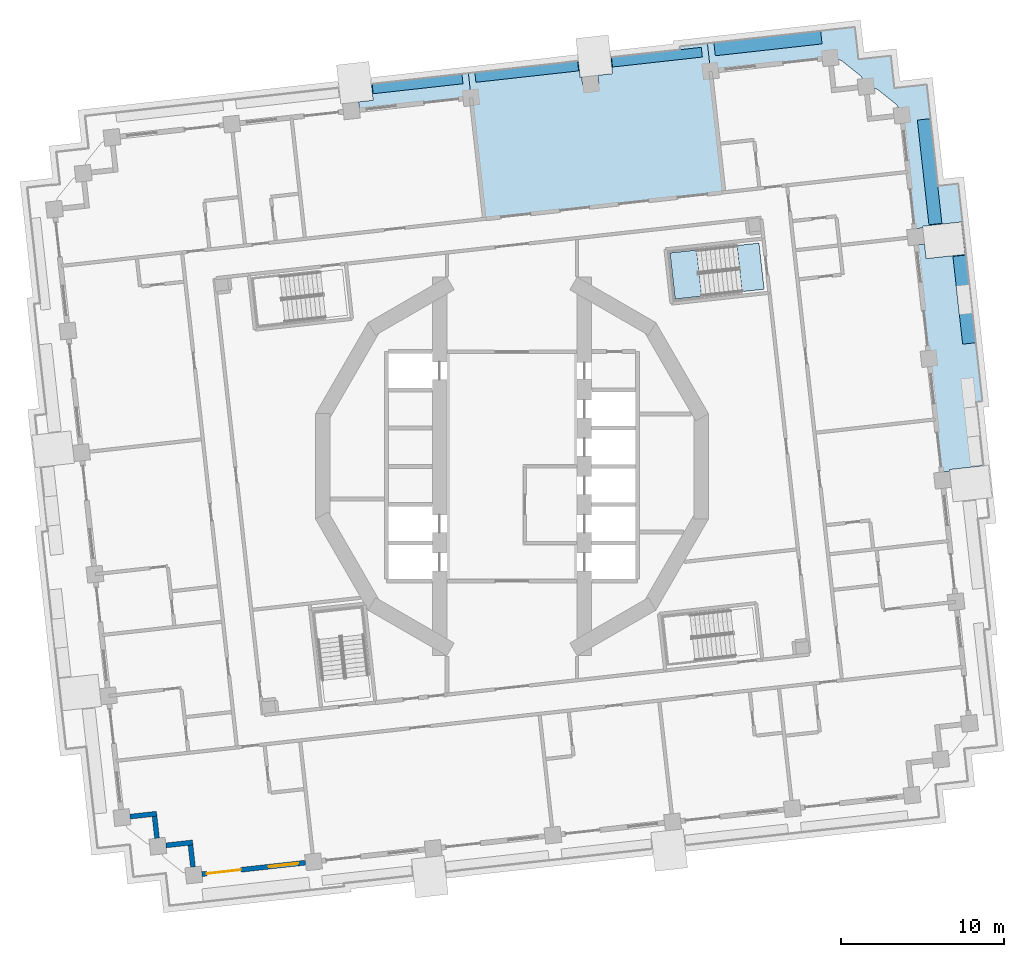
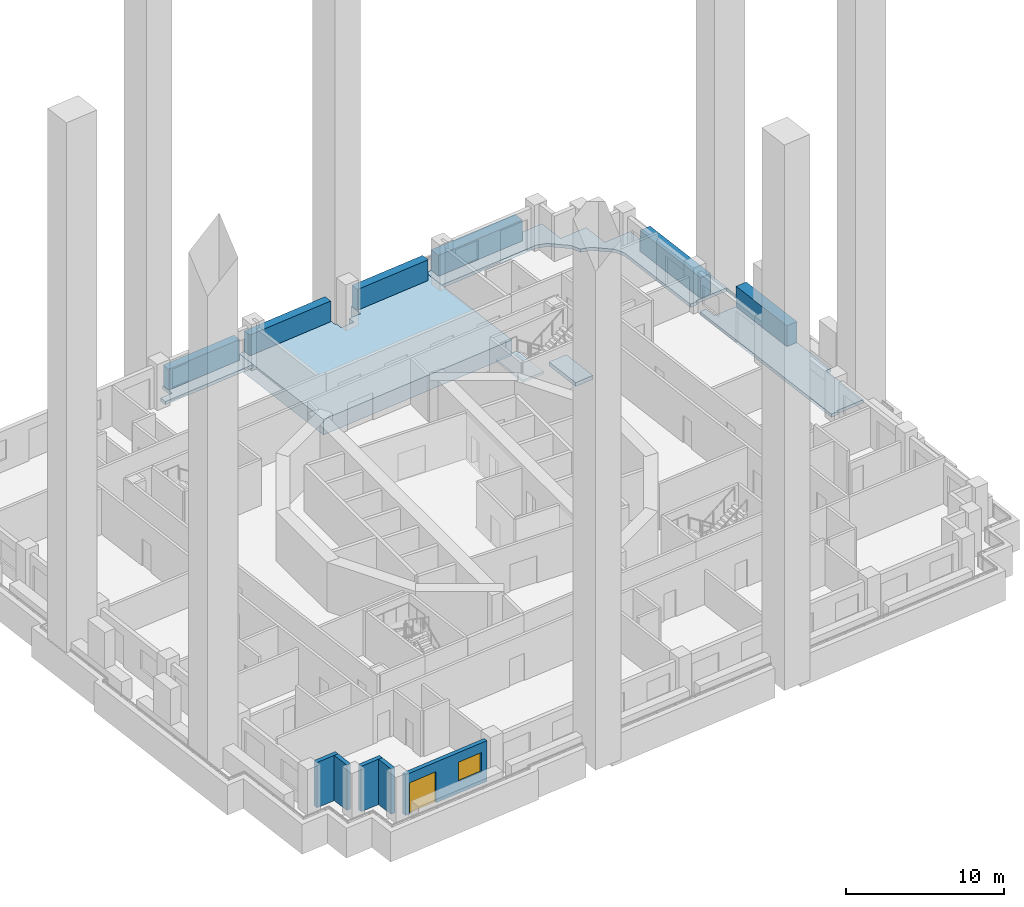
# One storey, part 2 of 20: 6 plates, 5 slabs, 5 walls, 1 door, 1 window, 2 openings, 1 element without a shape of its own.
"""IFC4 building model written with IfcOpenShell, lengths in metres."""

from ifc_helpers import new_model, si_unit, direction, frame, frame_2d, origin, origin_2d, place, context, subcontext, project, spatial, polyline, rectangle, outline, extrude, material, layer, layer_set, type_object, element, fill, aggregate, save


model = new_model("IFC4")

# Units and contexts
model_context = context("Model", 3, precision=1e-05, world=origin(), true_north=direction((0.0, 1.0)))
body_context = subcontext(model_context, "Body", "Model", "MODEL_VIEW")
ifc_project = project(units=[si_unit("LENGTHUNIT", "METRE"), si_unit("AREAUNIT", "SQUARE_METRE"), si_unit("VOLUMEUNIT", "CUBIC_METRE"), si_unit("PLANEANGLEUNIT", "RADIAN"), si_unit("MASSUNIT", "GRAM", prefix="KILO")], contexts=[model_context])

# Site, building, storey
site_placement = place(None, origin())
site = spatial("IfcSite", under=ifc_project, at=site_placement, CompositionType="ELEMENT")
building_placement = place(site_placement, origin())
building = spatial("IfcBuilding", under=site, at=building_placement, Name="Cantera Rosa Tower", CompositionType="ELEMENT")
storey_placement = place(building_placement, frame((0.0, 0.0, 42.5)))
storey = spatial("IfcBuildingStorey", under=building, at=storey_placement, Name="L07", CompositionType="ELEMENT", Elevation=42.5)

# Slabs
ifc_material_1 = material(Name="Concrete C35/45", Category="concrete")
ifc_layer_1 = layer(ifc_material_1, 0.25)
ifc_layer_set_1 = layer_set([ifc_layer_1], Name="LOGGIA SLAB 250 C35/45")
slab_type_1 = type_object("IfcSlabType", Name="LOGGIA SLAB 250 C35/45", PredefinedType="FLOOR", material=ifc_layer_set_1)
slab_1_placement = place(storey_placement, frame((0.0, 0.0, -0.25)))
element("IfcSlab", 1, at=slab_1_placement, inside=storey, type_object=slab_type_1, Name="LOGGIA SLAB L07 3", PredefinedType="FLOOR", context=body_context, shape_type="SweptSolid", body=[
    extrude(outline(polyline([(-9.42822265625, 22.396484375), (-8.53369140625, 22.495849609375), (-8.64404296875, 23.48974609375), (-8.544677734375, 23.5009765625), (-4.17138671875, 23.986083984375), (-2.6806640625, 24.151611328125), (-2.51513671875, 22.660888671875), (-9.373046875, 21.899658203125), (-9.42822265625, 22.396484375)])), origin(), (0.0, 0.0, 1.0), 0.25),
])
slab_2_placement = place(storey_placement, frame((0.0, 0.0, -0.25)))
element("IfcSlab", 2, at=slab_2_placement, inside=storey, type_object=slab_type_1, Name="LOGGIA SLAB L07 6", PredefinedType="FLOOR", context=body_context, shape_type="SweptSolid", body=[
    extrude(outline(polyline([(21.5703125, 25.0322265625), (23.260009765625, 25.2197265625), (23.447509765625, 23.5302734375), (23.48046875, 23.23193359375), (23.77880859375, 23.26513671875), (25.46826171875, 23.45263671875), (25.65576171875, 21.762939453125), (26.159912109375, 17.22021484375), (27.40185546875, 17.358154296875), (28.882080078125, 4.021240234375), (28.5224609375, 3.981201171875), (28.96044921875, 0.034912109375), (26.885498046875, -0.1953125), (26.896728515625, -0.294921875), (26.399658203125, -0.349853515625), (24.850830078125, 13.6044921875), (25.347900390625, 13.65966796875), (25.447265625, 12.764892578125), (27.83251953125, 13.02978515625), (27.61181640625, 15.017578125), (25.2265625, 14.752685546875), (25.237548828125, 14.653564453125), (24.740478515625, 14.598388671875), (23.96630859375, 21.575439453125), (23.677001953125, 22.161865234375), (23.66162109375, 22.18701171875), (23.643798828125, 22.21044921875), (23.62353515625, 22.23193359375), (23.6015625, 22.25146484375), (22.497314453125, 23.135009765625), (22.473388671875, 23.15234375), (22.447998046875, 23.1669921875), (22.42138671875, 23.179443359375), (22.393310546875, 23.18896484375), (21.7578125, 23.342529296875), (21.468505859375, 23.92919921875), (21.453125, 23.9541015625), (21.435302734375, 23.9775390625), (21.415283203125, 23.999267578125), (21.39306640625, 24.018798828125), (20.288818359375, 24.902099609375), (20.26513671875, 24.91943359375), (20.239501953125, 24.934326171875), (20.212890625, 24.946533203125), (20.18505859375, 24.9560546875), (19.54931640625, 25.10986328125), (18.642578125, 25.00927734375), (12.194580078125, 24.29345703125), (12.007080078125, 25.983154296875), (19.36181640625, 26.79931640625), (21.051513671875, 26.98681640625), (21.239013671875, 25.29736328125), (21.272216796875, 24.999267578125), (21.5703125, 25.0322265625)])), origin(), (0.0, 0.0, 1.0), 0.25),
])

# Plates
ifc_material_2 = material(Name="Cantera stone planter with soil", Category="masonry")
plate_type_1 = type_object("IfcPlateType", Name="PLANTER 600", PredefinedType="USERDEFINED", material=ifc_material_2)
plate_1_placement = place(storey_placement, frame((8.905517578125, 25.145751953125, 0.0), z_axis=(0.0, 0.0, 1.0), x_axis=(-0.993896946415, -0.110312555526, 0.0)))
element("IfcPlate", 3, at=plate_1_placement, inside=storey, type_object=plate_type_1, Name="PLANTER L07-07", ObjectType="PLANTER", PredefinedType="USERDEFINED", context=body_context, shape_type="SweptSolid", body=[
    extrude(rectangle(XDim=5.550048828125, YDim=0.60009765625, at=origin_2d()), origin(), (0.0, 0.0, 1.0), 1.60009765625),
])
plate_2_placement = place(storey_placement, frame((0.90576171875, 24.247802734375, 0.0), z_axis=(0.0, 0.0, 1.0), x_axis=(-0.993896946415, -0.110312555526, 0.0)))
element("IfcPlate", 4, at=plate_2_placement, inside=storey, type_object=plate_type_1, Name="PLANTER L07-08", ObjectType="PLANTER", PredefinedType="USERDEFINED", context=body_context, shape_type="SweptSolid", body=[
    extrude(rectangle(XDim=6.35009765625, YDim=0.60009765625, at=origin_2d()), origin(), (0.0, 0.0, 1.0), 1.60009765625),
])
plate_3_placement = place(storey_placement, frame((-5.80322265625, 23.503173828125, 0.0), z_axis=(0.0, 0.0, 1.0), x_axis=(-0.993896946415, -0.110312555526, 0.0)))
element("IfcPlate", 5, at=plate_3_placement, inside=storey, type_object=plate_type_1, Name="PLANTER L07-09", ObjectType="PLANTER", PredefinedType="USERDEFINED", context=body_context, shape_type="SweptSolid", body=[
    extrude(rectangle(XDim=5.550048828125, YDim=0.60009765625, at=origin_2d()), origin(), (0.0, 0.0, 1.0), 1.60009765625),
])
ifc_material_3 = material(Name="Cantera stone planter with soil", Category="masonry")
plate_type_2 = type_object("IfcPlateType", Name="PLANTER 800", PredefinedType="USERDEFINED", material=ifc_material_3)
plate_4_placement = place(storey_placement, frame((27.78857421875, 10.248046875, 0.0), z_axis=(0.0, 0.0, 1.0), x_axis=(-0.110312555526, 0.993896946415, 0.0)))
element("IfcPlate", 6, at=plate_4_placement, inside=storey, type_object=plate_type_2, Name="PLANTER L07-04", ObjectType="PLANTER", PredefinedType="USERDEFINED", context=body_context, shape_type="SweptSolid", body=[
    extrude(rectangle(XDim=5.419921875, YDim=0.800048828125, at=origin_2d()), origin(), (0.0, 0.0, 1.0), 1.60009765625),
])
plate_5_placement = place(storey_placement, frame((25.6591796875, 18.10595703125, 0.0), z_axis=(0.0, 0.0, 1.0), x_axis=(-0.110312555526, 0.993896946415, 0.0)))
element("IfcPlate", 7, at=plate_5_placement, inside=storey, type_object=plate_type_2, Name="PLANTER L07-05", ObjectType="PLANTER", PredefinedType="USERDEFINED", context=body_context, shape_type="SweptSolid", body=[
    extrude(rectangle(XDim=6.469970703125, YDim=0.800048828125, at=origin_2d()), origin(), (0.0, 0.0, 1.0), 1.60009765625),
])
plate_6_placement = place(storey_placement, frame((15.728515625, 25.99365234375, 0.0), z_axis=(0.0, 0.0, 1.0), x_axis=(-0.993896946415, -0.110312555526, 0.0)))
element("IfcPlate", 8, at=plate_6_placement, inside=storey, type_object=plate_type_2, Name="PLANTER L07-06", ObjectType="PLANTER", PredefinedType="USERDEFINED", context=body_context, shape_type="SweptSolid", body=[
    extrude(rectangle(XDim=6.60009765625, YDim=0.800048828125, at=origin_2d()), origin(), (0.0, 0.0, 1.0), 1.60009765625),
])

# Slabs
ifc_material_4 = material(Name="Concrete C50/60", Category="concrete")
ifc_layer_2 = layer(ifc_material_4, 0.300048828125)
ifc_layer_set_2 = layer_set([ifc_layer_2], Name="RC STAIR ARRIVAL LANDING 300 C50/60")
slab_type_2 = type_object("IfcSlabType", Name="RC STAIR ARRIVAL LANDING 300 C50/60", PredefinedType="FLOOR", material=ifc_layer_set_2)
slab_3_placement = place(storey_placement, frame((0.0, 0.0, -0.300048828125)))
element("IfcSlab", 9, at=slab_3_placement, inside=storey, type_object=slab_type_2, Name="SLAB L07 arrival 4", PredefinedType="FLOOR", context=body_context, shape_type="SweptSolid", body=[
    extrude(outline(polyline([(15.176025390625, 13.7197265625), (15.490478515625, 10.88720703125), (14.13671875, 10.73681640625), (13.822265625, 13.5693359375), (15.176025390625, 13.7197265625)])), origin(), (0.0, 0.0, 1.0), 0.300048828125),
])
ifc_material_5 = material(Name="Concrete C50/60", Category="concrete")
ifc_layer_3 = layer(ifc_material_5, 1.199951171875)
ifc_layer_set_3 = layer_set([ifc_layer_3], Name="RC TRANSFER PLATE TERRACE 1200 C50/60")
slab_type_3 = type_object("IfcSlabType", Name="RC TRANSFER PLATE TERRACE 1200 C50/60", PredefinedType="FLOOR", material=ifc_layer_set_3)
slab_4_placement = place(storey_placement, frame((0.0, 0.0, -1.199951171875)))
element("IfcSlab", 10, at=slab_4_placement, inside=storey, type_object=slab_type_3, Name="RC TRANSFER PLATE TERRACE L07 1", PredefinedType="FLOOR", context=body_context, shape_type="SweptSolid", body=[
    extrude(outline(polyline([(-2.6806640625, 24.151611328125), (-1.189697265625, 24.317138671875), (3.173583984375, 24.801513671875), (3.172607421875, 24.811279296875), (4.076904296875, 24.91162109375), (4.188232421875, 23.907958984375), (4.28759765625, 23.9189453125), (4.3427734375, 23.422119140625), (5.336669921875, 23.5322265625), (5.281494140625, 24.029296875), (6.176025390625, 24.12841796875), (6.064697265625, 25.132080078125), (10.33837890625, 25.606689453125), (10.3173828125, 25.795654296875), (12.007080078125, 25.983154296875), (12.194580078125, 24.29345703125), (13.02197265625, 16.839111328125), (-1.687744140625, 15.20654296875), (-2.51513671875, 22.660888671875), (-2.6806640625, 24.151611328125)])), origin(), (0.0, 0.0, 1.0), 1.199951171875),
])

# Stair, slab
ifc_material_6 = material(Name="Concrete C35/45", Category="concrete")
stair_type = type_object("IfcStairType", Name="EXIT STAIR 1350 DOGLEG", PredefinedType="HALF_TURN_STAIR", material=ifc_material_6)
stair_placement = place(storey_placement, origin())
stair = element("IfcStair", 11, at=stair_placement, inside=storey, type_object=stair_type, Name="L07 ST-11", PredefinedType="HALF_TURN_STAIR")
ifc_material_7 = material(Name="Concrete C35/45", Category="concrete")
ifc_layer_4 = layer(ifc_material_7, 0.199951171875)
ifc_layer_set_4 = layer_set([ifc_layer_4], Name="STAIR LANDING 200")
slab_type_4 = type_object("IfcSlabType", Name="STAIR LANDING 200", PredefinedType="LANDING", material=ifc_layer_set_4)
slab_5_placement = place(storey_placement, frame((0.0, 0.0, 1.699951171875)))
slab_5 = element("IfcSlab", 12, at=slab_5_placement, type_object=slab_type_4, Name="ST-11 landing 1", PredefinedType="LANDING", context=body_context, shape_type="SweptSolid", body=[
    extrude(outline(polyline([(11.341552734375, 13.294189453125), (9.70947265625, 13.113037109375), (10.02392578125, 10.2802734375), (11.656005859375, 10.46142578125), (11.341552734375, 13.294189453125)])), origin(), (0.0, 0.0, 1.0), 0.199951171875),
])
aggregate(stair, [slab_5])

# Walls
ifc_material_8 = material(Name="Hollow clay masonry with cantera stone cladding", Category="masonry")
ifc_layer_5 = layer(ifc_material_8, 0.300048828125)
ifc_layer_set_5 = layer_set([ifc_layer_5], Name="EW-LOGGIA 300")
wall_type_1 = type_object("IfcWallType", Name="EW-LOGGIA 300", PredefinedType="SOLIDWALL", material=ifc_layer_set_5)
wall_1_placement = place(storey_placement, frame((-23.46923828125, -21.520263671875, 0.0), z_axis=(0.0, 0.0, 1.0), x_axis=(0.993905369514, 0.110236638423, 0.0)))
element("IfcWall", 13, at=wall_1_placement, inside=storey, type_object=wall_type_1, Name="EN-L07-W21a", PredefinedType="SOLIDWALL", context=body_context, shape_type="SweptSolid", body=[
    extrude(rectangle(XDim=1.64990234375, YDim=0.300048828125, at=frame_2d((0.824951171875, 0.0))), origin(), (0.0, 0.0, 1.0), 3.5),
])
wall_2_placement = place(storey_placement, frame((-21.9619140625, -21.50390625, 0.0), z_axis=(0.0, 0.0, 1.0), x_axis=(0.110312435488, -0.993896959738, 0.0)))
element("IfcWall", 14, at=wall_2_placement, inside=storey, type_object=wall_type_1, Name="EN-L07-W21b", PredefinedType="SOLIDWALL", context=body_context, shape_type="SweptSolid", body=[
    extrude(rectangle(XDim=1.35009765625, YDim=0.300048828125, at=frame_2d((0.675048828125, 0.0))), origin(), (0.0, 0.0, 1.0), 3.5),
])
wall_3_placement = place(storey_placement, frame((-21.2607421875, -23.287353515625, 0.0), z_axis=(0.0, 0.0, 1.0), x_axis=(0.993905369514, 0.110236638423, 0.0)))
element("IfcWall", 15, at=wall_3_placement, inside=storey, type_object=wall_type_1, Name="EN-L07-W22a", PredefinedType="SOLIDWALL", context=body_context, shape_type="SweptSolid", body=[
    extrude(rectangle(XDim=1.64990234375, YDim=0.300048828125, at=frame_2d((0.824951171875, 0.0))), origin(), (0.0, 0.0, 1.0), 3.5),
])
wall_4_placement = place(storey_placement, frame((-19.75341796875, -23.27099609375, 0.0), z_axis=(0.0, 0.0, 1.0), x_axis=(0.110312435488, -0.993896959738, 0.0)))
element("IfcWall", 16, at=wall_4_placement, inside=storey, type_object=wall_type_1, Name="EN-L07-W22b", PredefinedType="SOLIDWALL", context=body_context, shape_type="SweptSolid", body=[
    extrude(rectangle(XDim=1.35009765625, YDim=0.300048828125, at=frame_2d((0.675048828125, 0.0))), origin(), (0.0, 0.0, 1.0), 3.5),
])

# Wall, openings, window, door
ifc_material_9 = material(Name="Hollow clay masonry with cantera stone cladding", Category="masonry")
ifc_layer_6 = layer(ifc_material_9, 0.300048828125)
ifc_layer_set_6 = layer_set([ifc_layer_6], Name="EW-LOGGIA 300 H3140")
wall_type_2 = type_object("IfcWallType", Name="EW-LOGGIA 300 H3140", PredefinedType="SOLIDWALL", material=ifc_layer_set_6)
wall_5_placement = place(storey_placement, frame((-19.052490234375, -25.0546875, 0.0), z_axis=(0.0, 0.0, 1.0), x_axis=(0.993896288542, 0.110318482689, 0.0)))
wall_5 = element("IfcWall", 17, at=wall_5_placement, inside=storey, type_object=wall_type_2, Name="EN-L07-W23", PredefinedType="SOLIDWALL", context=body_context, shape_type="SweptSolid", body=[
    extrude(rectangle(XDim=6.400146484375, YDim=0.300048828125, at=frame_2d((3.2001953125, 0.0))), origin(), (0.0, 0.0, 1.0), 3.139892578125),
])
opening_1_placement = place(wall_5_placement, frame((0.300048828125, 0.0, 0.0)))
opening_1 = element("IfcOpeningElement", 18, at=opening_1_placement, cuts=wall_5, Name="Opening L07-TD29", PredefinedType="OPENING", context=body_context, shape_type="SweptSolid", body=[
    extrude(rectangle(XDim=2.10009765625, YDim=2.39990234375, at=frame_2d((1.050048828125, 1.199951171875))), frame((0.0, 0.159912109375, 0.0), z_axis=(0.0, -1.0, 0.0), x_axis=(1.0, 0.0, 0.0)), (0.0, 0.0, 1.0), 0.320068359375),
])
opening_2_placement = place(wall_5_placement, frame((4.14990234375, 0.0, 0.89990234375)))
opening_2 = element("IfcOpeningElement", 19, at=opening_2_placement, cuts=wall_5, Name="Opening L07-W30", PredefinedType="OPENING", context=body_context, shape_type="SweptSolid", body=[
    extrude(rectangle(XDim=1.800048828125, YDim=1.5, at=frame_2d((0.89990234375, 0.75))), frame((0.0, 0.159912109375, 0.0), z_axis=(0.0, -1.0, 0.0), x_axis=(1.0, 0.0, 0.0)), (0.0, 0.0, 1.0), 0.320068359375),
])
ifc_material_10 = material(Name="Aluminium frame with clear glass", Category="aluminium")
window_type = type_object("IfcWindowType", Name="Hotel room window 1800x1500", PartitioningType="DOUBLE_PANEL_VERTICAL", PredefinedType="WINDOW", material=ifc_material_10)
window_placement = place(opening_2_placement, origin())
window = element("IfcWindow", 20, at=window_placement, inside=storey, type_object=window_type, Name="WINDOW L07-W30", OverallHeight=1.5, OverallWidth=1.800048828125, PartitioningType="SINGLE_PANEL", PredefinedType="WINDOW", context=body_context, shape_type="SweptSolid", body=[
    extrude(rectangle(XDim=1.800048828125, YDim=1.5, at=frame_2d((0.89990234375, 0.75))), frame((0.0, 0.030029296875, 0.0), z_axis=(0.0, -1.0, 0.0), x_axis=(1.0, 0.0, 0.0)), (0.0, 0.0, 1.0), 0.06005859375),
])
fill(opening_2, window)
ifc_material_11 = material(Name="Aluminium frame with clear glass", Category="aluminium")
door_type = type_object("IfcDoorType", Name="TD-H 2100x2400", OperationType="NOTDEFINED", PredefinedType="DOOR", material=ifc_material_11)
door_placement = place(opening_1_placement, origin())
door = element("IfcDoor", 21, at=door_placement, inside=storey, type_object=door_type, Name="LOGGIA DOOR L07-TD29", OperationType="SLIDING_TO_LEFT", OverallHeight=2.39990234375, OverallWidth=2.10009765625, PredefinedType="DOOR", context=body_context, shape_type="SweptSolid", body=[
    extrude(rectangle(XDim=2.10009765625, YDim=2.39990234375, at=frame_2d((1.050048828125, 1.199951171875))), frame((0.0, 0.02490234375, 0.0), z_axis=(0.0, -1.0, 0.0), x_axis=(1.0, 0.0, 0.0)), (0.0, 0.0, 1.0), 0.050048828125),
])
fill(opening_1, door)

save(model, "model.ifc")
